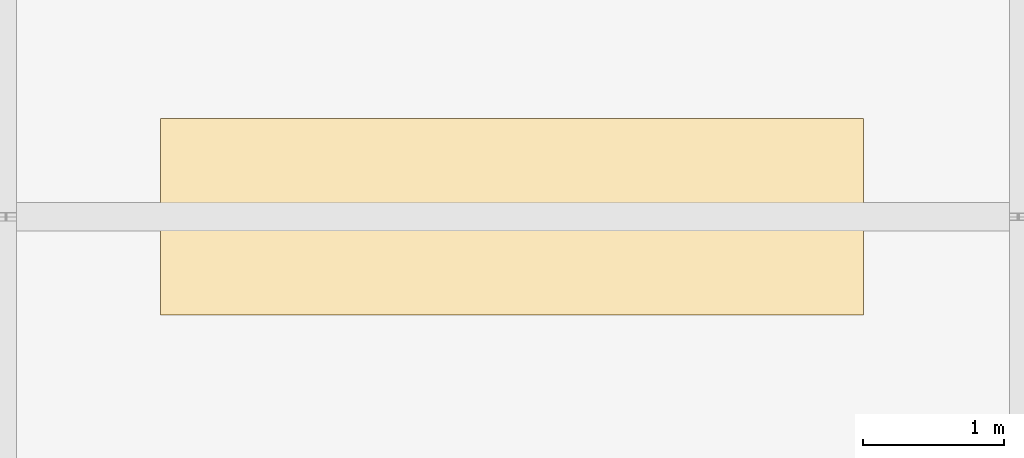
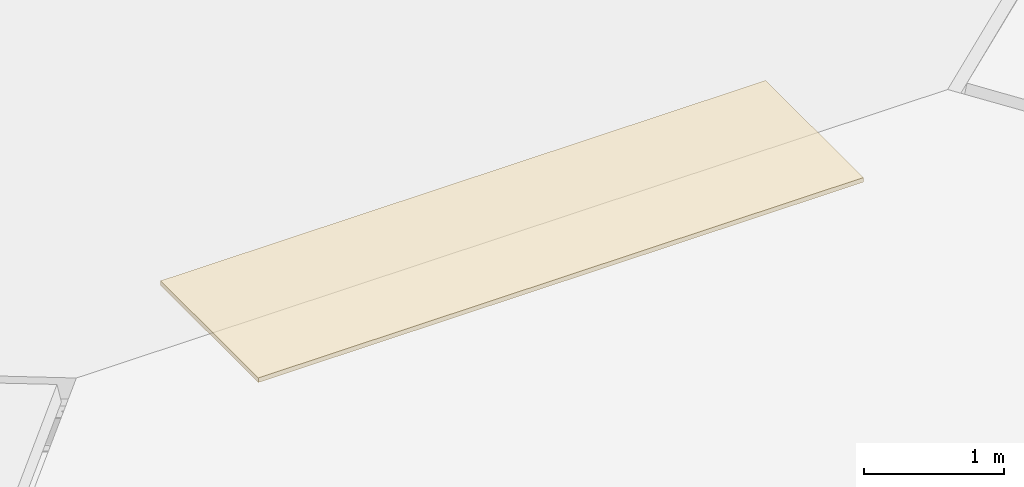
# One storey, part 3 of 3: 1 covering, 1 element without a shape of its own.
"""IFC4 building model written with IfcOpenShell, lengths in metres."""

import ifcopenshell
import ifcopenshell.guid

model = None  # the IFC model being written
_history = None  # IfcOwnerHistory: only IFC2X3 demands one
_inside = {}  # id of a spatial element -> (the spatial element, [elements in it])
_under = {}  # id of a project, library or spatial element -> (it, [spatial elements below it])
_declared = {}  # id of a project -> (the project, [libraries it declares])
_typed = {}  # id of a type object -> (the type object, [elements of that type])
_made_of = {}  # id of a material, layer set ... -> (it, [elements and type objects made of it])


def new_model(schema):
    """Start an empty IFC model of exactly this schema.

    Asked for "IFC4X3", IfcOpenShell would pick the latest addendum, in which some entities
    have other attributes; the version numbers below select the first issue.
    IFC2X3 requires an IfcOwnerHistory on every rooted entity: one is made here for all.
    """
    global model, _history
    if schema == "IFC4X3":
        model = ifcopenshell.file(schema_version=(4, 3, 0, 0))
    else:
        model = ifcopenshell.file(schema=schema)
    _inside.clear()
    _under.clear()
    _declared.clear()
    _typed.clear()
    _made_of.clear()
    _history = None
    if model.schema == "IFC2X3":
        org = make("IfcOrganization", Name="unknown")
        user = make(
            "IfcPersonAndOrganization",
            ThePerson=make("IfcPerson", FamilyName="unknown"),
            TheOrganization=org,
        )
        app = make(
            "IfcApplication",
            ApplicationDeveloper=org,
            Version="unknown",
            ApplicationFullName="unknown",
            ApplicationIdentifier="unknown",
        )
        _history = make(
            "IfcOwnerHistory",
            OwningUser=user,
            OwningApplication=app,
            ChangeAction="ADDED",
            CreationDate=0,
        )
    return model


def make(cls, **values):
    """One entity of the class cls with the attributes given. An attribute that is None is left unset."""
    return model.create_entity(
        cls, **{name: value for name, value in values.items() if value is not None}
    )


def rooted(cls, **values):
    """An entity with a GlobalId (a new one), such as an element, a storey or a relation."""
    return make(cls, GlobalId=ifcopenshell.guid.new(), OwnerHistory=_history, **values)


def si_unit(unit_type, name, prefix=None):
    """IfcSIUnit, for example si_unit("LENGTHUNIT", "METRE", prefix="MILLI")."""
    return make("IfcSIUnit", UnitType=unit_type, Prefix=prefix, Name=name)


def assignment(units):
    """IfcUnitAssignment: the units of a project."""
    return None if units is None else make("IfcUnitAssignment", Units=units)


def point(xyz):
    """IfcCartesianPoint."""
    return None if xyz is None else make("IfcCartesianPoint", Coordinates=xyz)


def direction(xyz):
    """IfcDirection."""
    return None if xyz is None else make("IfcDirection", DirectionRatios=xyz)


def frame(location, z_axis=None, x_axis=None):
    """IfcAxis2Placement3D, a coordinate frame: its origin and axes. An axis left out is left unset."""
    return make(
        "IfcAxis2Placement3D",
        Location=point(location),
        Axis=direction(z_axis),
        RefDirection=direction(x_axis),
    )


def frame_2d(location, x_axis=None):
    """IfcAxis2Placement2D, a coordinate frame in the plane: its origin and x axis."""
    return make(
        "IfcAxis2Placement2D", Location=point(location), RefDirection=direction(x_axis)
    )


def origin():
    """The frame at (0, 0, 0) with its axes left unset."""
    return frame((0.0, 0.0, 0.0))


def origin_2d():
    """The frame at (0, 0) in the plane with its x axis left unset."""
    return frame_2d((0.0, 0.0))


def place(relative_to, where):
    """IfcLocalPlacement: puts the frame where relative to a parent placement (None: the world)."""
    return make(
        "IfcLocalPlacement", PlacementRelTo=relative_to, RelativePlacement=where
    )


def context(
    kind, dimensions, precision=None, world=None, true_north=None, identifier=None
):
    """IfcGeometricRepresentationContext, for example the 3D "Model" context."""
    return make(
        "IfcGeometricRepresentationContext",
        ContextIdentifier=identifier,
        ContextType=kind,
        CoordinateSpaceDimension=dimensions,
        Precision=precision,
        WorldCoordinateSystem=world,
        TrueNorth=true_north,
    )


def subcontext(parent, identifier, kind, view, scale=None):
    """IfcGeometricRepresentationSubContext, for example "Body" below "Model"."""
    return make(
        "IfcGeometricRepresentationSubContext",
        ContextIdentifier=identifier,
        ContextType=kind,
        ParentContext=parent,
        TargetScale=scale,
        TargetView=view,
    )


def project(units=None, contexts=None):
    """IfcProject with its units and contexts."""
    return rooted(
        "IfcProject",
        Name="project",
        RepresentationContexts=contexts,
        UnitsInContext=assignment(units),
    )


def spatial(cls, under=None, at=None, **own):
    """A site, building, storey or space (cls), placed at a placement, below another one or the project."""
    s = rooted(cls, ObjectPlacement=at, **own)
    if under is not None:
        _under.setdefault(under.id(), (under, []))[1].append(s)
    return s


def profile(cls, at=None, kind="AREA", **sizes):
    """A parametric profile (cls). Its sizes go by their IFC names, for example OverallWidth=200.0."""
    return make(cls, ProfileType=kind, Position=at, **sizes)


def rectangle(**sizes):
    """IfcRectangleProfileDef."""
    return profile("IfcRectangleProfileDef", **sizes)


def extrude(swept, where, along, depth):
    """IfcExtrudedAreaSolid: the profile swept, set in the frame where, extruded along a direction by depth."""
    return make(
        "IfcExtrudedAreaSolid",
        SweptArea=swept,
        Position=where,
        ExtrudedDirection=direction(along),
        Depth=depth,
    )


def shape(context_of_items, identifier, shape_type, items):
    """IfcShapeRepresentation: the items that make up one representation, for example the "Body"."""
    return make(
        "IfcShapeRepresentation",
        ContextOfItems=context_of_items,
        RepresentationIdentifier=identifier,
        RepresentationType=shape_type,
        Items=items,
    )


def material(Name=None, Category=None):
    """IfcMaterial."""
    return make("IfcMaterial", Name=Name, Category=Category)


def layer(
    of_material, thickness, ventilated=None, Name=None, Category=None, Priority=None
):
    """IfcMaterialLayer: one layer of a wall or slab, of a material (None: an air gap)."""
    return make(
        "IfcMaterialLayer",
        Material=of_material,
        LayerThickness=thickness,
        IsVentilated=ventilated,
        Name=Name,
        Category=Category,
        Priority=Priority,
    )


def layer_set(layers, Name=None):
    """IfcMaterialLayerSet."""
    return make("IfcMaterialLayerSet", MaterialLayers=layers, LayerSetName=Name)


def made_of(thing, what):
    """Note that an element or type object is made of a material, layer set ...; save() writes the relation."""
    if what is not None:
        _made_of.setdefault(what.id(), (what, []))[1].append(thing)
    return thing


def type_object(cls, material=None, **own):
    """A type object (cls), such as IfcWallType, which elements share."""
    return made_of(rooted(cls, **own), material)


def element(
    cls,
    number,
    at=None,
    inside=None,
    cuts=None,
    type_object=None,
    material=None,
    context=None,
    identifier="Body",
    shape_type=None,
    held_by="IfcProductDefinitionShape",
    body=None,
    shapes=None,
    **own,
):
    """One element of the class cls, such as IfcWall. Its Tag is "e" and its number.

    at: its placement. inside: the storey or other place that contains it. cuts: it is an
    opening in that element (IfcRelVoidsElement). A single representation is given by context,
    identifier, shape_type and body (its items); several are given by shapes. held_by: the class
    of the entity that holds the representations. save() writes the other relations.
    """
    e = rooted(cls, Tag="e%d" % number, ObjectPlacement=at, **own)
    if body is not None:
        shapes = [shape(context, identifier, shape_type, body)]
    if shapes is not None:
        e.Representation = make(held_by, Representations=shapes)
    if inside is not None:
        _inside.setdefault(inside.id(), (inside, []))[1].append(e)
    if cuts is not None:
        rooted(
            "IfcRelVoidsElement", RelatingBuildingElement=cuts, RelatedOpeningElement=e
        )
    if type_object is not None:
        _typed.setdefault(type_object.id(), (type_object, []))[1].append(e)
    return made_of(e, material)


def aggregate(whole, parts):
    """IfcRelAggregates: a whole, such as a stair, and the parts it consists of."""
    return rooted("IfcRelAggregates", RelatingObject=whole, RelatedObjects=parts)


def save(model, path):
    """Write the relations noted so far, then the file.

    IfcRelAggregates (storeys below a building ...), IfcRelContainedInSpatialStructure (elements
    in a storey), IfcRelDefinesByType, IfcRelAssociatesMaterial and IfcRelDeclares: one each for
    every whole, place, type object, material and project.
    """
    for whole, parts in _under.values():
        aggregate(whole, parts)
    for where, things in _inside.values():
        rooted(
            "IfcRelContainedInSpatialStructure",
            RelatedElements=things,
            RelatingStructure=where,
        )
    for kind, things in _typed.values():
        rooted("IfcRelDefinesByType", RelatedObjects=things, RelatingType=kind)
    for what, things in _made_of.values():
        rooted("IfcRelAssociatesMaterial", RelatedObjects=things, RelatingMaterial=what)
    for by, libraries in _declared.values():
        rooted("IfcRelDeclares", RelatingContext=by, RelatedDefinitions=libraries)
    model.write(path)


model = new_model("IFC4")

# Units and contexts
model_context = context("Model", 3, precision=1e-05, world=origin(), true_north=direction((0.0, 1.0)))
body_context = subcontext(model_context, "Body", "Model", "MODEL_VIEW")
ifc_project = project(units=[si_unit("LENGTHUNIT", "METRE"), si_unit("AREAUNIT", "SQUARE_METRE"), si_unit("VOLUMEUNIT", "CUBIC_METRE"), si_unit("PLANEANGLEUNIT", "RADIAN"), si_unit("MASSUNIT", "GRAM", prefix="KILO")], contexts=[model_context])

# Site, building, storey
site_placement = place(None, origin())
site = spatial("IfcSite", under=ifc_project, at=site_placement, CompositionType="ELEMENT")
building_placement = place(site_placement, origin())
building = spatial("IfcBuilding", under=site, at=building_placement, Name="Kazehaya Institute of Natural Sciences", CompositionType="ELEMENT")
storey_placement = place(building_placement, frame((0.0, 0.0, 46.260009765625)))
storey = spatial("IfcBuildingStorey", under=building, at=storey_placement, Name="Roof", CompositionType="ELEMENT", Elevation=46.260009765625)

# Roof, covering
ifc_material = material(Name="Copper standing-seam roofing", Category="copper")
roof_type = type_object("IfcRoofType", Name="RF-HIPPED", PredefinedType="HIP_ROOF", material=ifc_material)
roof_placement = place(storey_placement, origin())
roof = element("IfcRoof", 1, at=roof_placement, inside=storey, type_object=roof_type, Name="Hipped copper roof ROOF-VOL4-ATTIC", PredefinedType="HIP_ROOF")
ifc_layer = layer(ifc_material, 0.0400390625, Name="Copper standing-seam roofing", Category="copper")
ifc_layer_set = layer_set([ifc_layer], Name="Copper standing-seam roofing")
covering_type = type_object("IfcCoveringType", Name="COV-ROOF-CU", PredefinedType="ROOFING", material=ifc_layer_set)
covering_placement = place(storey_placement, frame((87.0, 21.199951171875, 1.700439453125), z_axis=(0.0, 0.0, 1.0), x_axis=(1.0, 0.0, 0.0)))
covering = element("IfcCovering", 2, at=covering_placement, type_object=covering_type, Name="Roof standing-seam roof covering 7", PredefinedType="ROOFING", context=body_context, shape_type="SweptSolid", body=[
    extrude(rectangle(XDim=5.0, YDim=1.39990234375, at=origin_2d()), origin(), (0.0, 0.0, 1.0), 0.0400390625),
])
aggregate(roof, [covering])

save(model, "model.ifc")
